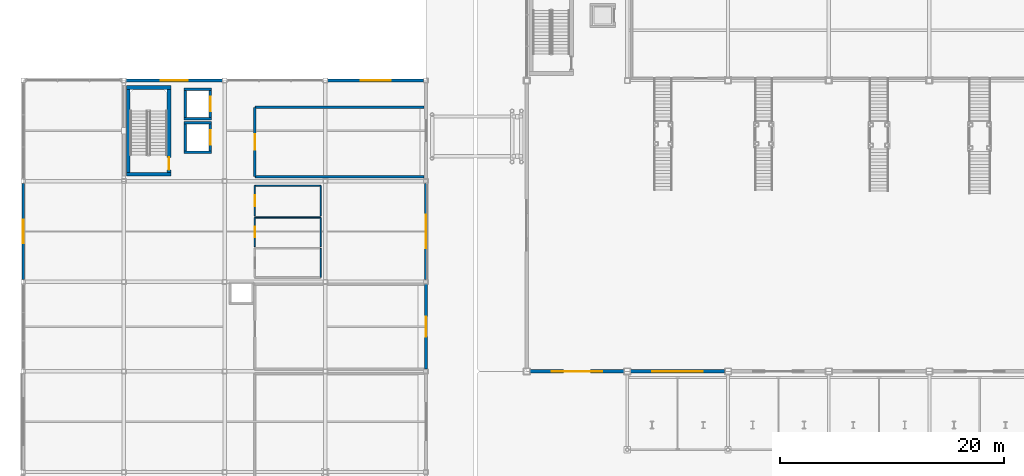
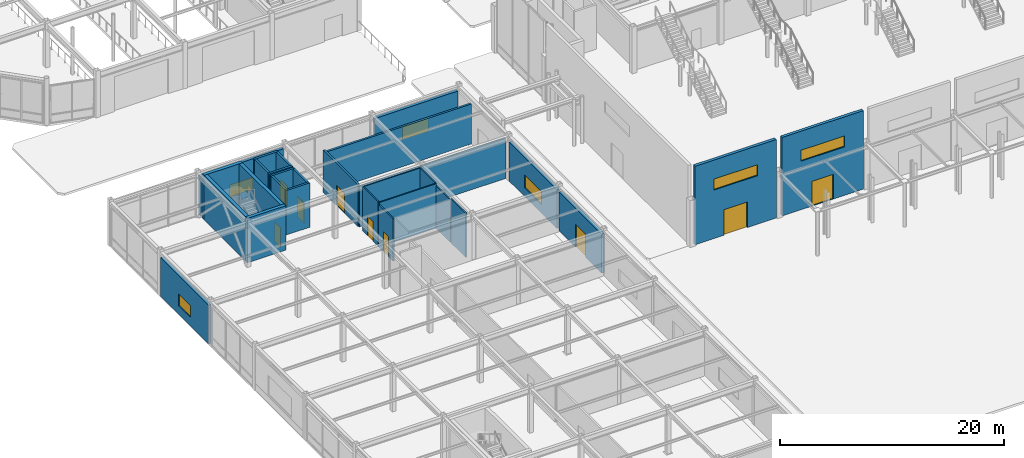
# One storey, part 83 of 123: 29 walls, 9 doors, 6 windows, 15 openings.
"""IFC4 building model written with IfcOpenShell, lengths in metres."""

import ifcopenshell
import ifcopenshell.guid

model = None  # the IFC model being written
_history = None  # IfcOwnerHistory: only IFC2X3 demands one
_inside = {}  # id of a spatial element -> (the spatial element, [elements in it])
_under = {}  # id of a project, library or spatial element -> (it, [spatial elements below it])
_declared = {}  # id of a project -> (the project, [libraries it declares])
_typed = {}  # id of a type object -> (the type object, [elements of that type])
_made_of = {}  # id of a material, layer set ... -> (it, [elements and type objects made of it])


def new_model(schema):
    """Start an empty IFC model of exactly this schema.

    Asked for "IFC4X3", IfcOpenShell would pick the latest addendum, in which some entities
    have other attributes; the version numbers below select the first issue.
    IFC2X3 requires an IfcOwnerHistory on every rooted entity: one is made here for all.
    """
    global model, _history
    if schema == "IFC4X3":
        model = ifcopenshell.file(schema_version=(4, 3, 0, 0))
    else:
        model = ifcopenshell.file(schema=schema)
    _inside.clear()
    _under.clear()
    _declared.clear()
    _typed.clear()
    _made_of.clear()
    _history = None
    if model.schema == "IFC2X3":
        org = make("IfcOrganization", Name="unknown")
        user = make(
            "IfcPersonAndOrganization",
            ThePerson=make("IfcPerson", FamilyName="unknown"),
            TheOrganization=org,
        )
        app = make(
            "IfcApplication",
            ApplicationDeveloper=org,
            Version="unknown",
            ApplicationFullName="unknown",
            ApplicationIdentifier="unknown",
        )
        _history = make(
            "IfcOwnerHistory",
            OwningUser=user,
            OwningApplication=app,
            ChangeAction="ADDED",
            CreationDate=0,
        )
    return model


def make(cls, **values):
    """One entity of the class cls with the attributes given. An attribute that is None is left unset."""
    return model.create_entity(
        cls, **{name: value for name, value in values.items() if value is not None}
    )


def rooted(cls, **values):
    """An entity with a GlobalId (a new one), such as an element, a storey or a relation."""
    return make(cls, GlobalId=ifcopenshell.guid.new(), OwnerHistory=_history, **values)


def si_unit(unit_type, name, prefix=None):
    """IfcSIUnit, for example si_unit("LENGTHUNIT", "METRE", prefix="MILLI")."""
    return make("IfcSIUnit", UnitType=unit_type, Prefix=prefix, Name=name)


def assignment(units):
    """IfcUnitAssignment: the units of a project."""
    return None if units is None else make("IfcUnitAssignment", Units=units)


def point(xyz):
    """IfcCartesianPoint."""
    return None if xyz is None else make("IfcCartesianPoint", Coordinates=xyz)


def direction(xyz):
    """IfcDirection."""
    return None if xyz is None else make("IfcDirection", DirectionRatios=xyz)


def frame(location, z_axis=None, x_axis=None):
    """IfcAxis2Placement3D, a coordinate frame: its origin and axes. An axis left out is left unset."""
    return make(
        "IfcAxis2Placement3D",
        Location=point(location),
        Axis=direction(z_axis),
        RefDirection=direction(x_axis),
    )


def frame_2d(location, x_axis=None):
    """IfcAxis2Placement2D, a coordinate frame in the plane: its origin and x axis."""
    return make(
        "IfcAxis2Placement2D", Location=point(location), RefDirection=direction(x_axis)
    )


def origin():
    """The frame at (0, 0, 0) with its axes left unset."""
    return frame((0.0, 0.0, 0.0))


def place(relative_to, where):
    """IfcLocalPlacement: puts the frame where relative to a parent placement (None: the world)."""
    return make(
        "IfcLocalPlacement", PlacementRelTo=relative_to, RelativePlacement=where
    )


def context(
    kind, dimensions, precision=None, world=None, true_north=None, identifier=None
):
    """IfcGeometricRepresentationContext, for example the 3D "Model" context."""
    return make(
        "IfcGeometricRepresentationContext",
        ContextIdentifier=identifier,
        ContextType=kind,
        CoordinateSpaceDimension=dimensions,
        Precision=precision,
        WorldCoordinateSystem=world,
        TrueNorth=true_north,
    )


def subcontext(parent, identifier, kind, view, scale=None):
    """IfcGeometricRepresentationSubContext, for example "Body" below "Model"."""
    return make(
        "IfcGeometricRepresentationSubContext",
        ContextIdentifier=identifier,
        ContextType=kind,
        ParentContext=parent,
        TargetScale=scale,
        TargetView=view,
    )


def project(units=None, contexts=None):
    """IfcProject with its units and contexts."""
    return rooted(
        "IfcProject",
        Name="project",
        RepresentationContexts=contexts,
        UnitsInContext=assignment(units),
    )


def spatial(cls, under=None, at=None, **own):
    """A site, building, storey or space (cls), placed at a placement, below another one or the project."""
    s = rooted(cls, ObjectPlacement=at, **own)
    if under is not None:
        _under.setdefault(under.id(), (under, []))[1].append(s)
    return s


def profile(cls, at=None, kind="AREA", **sizes):
    """A parametric profile (cls). Its sizes go by their IFC names, for example OverallWidth=200.0."""
    return make(cls, ProfileType=kind, Position=at, **sizes)


def rectangle(**sizes):
    """IfcRectangleProfileDef."""
    return profile("IfcRectangleProfileDef", **sizes)


def extrude(swept, where, along, depth):
    """IfcExtrudedAreaSolid: the profile swept, set in the frame where, extruded along a direction by depth."""
    return make(
        "IfcExtrudedAreaSolid",
        SweptArea=swept,
        Position=where,
        ExtrudedDirection=direction(along),
        Depth=depth,
    )


def shape(context_of_items, identifier, shape_type, items):
    """IfcShapeRepresentation: the items that make up one representation, for example the "Body"."""
    return make(
        "IfcShapeRepresentation",
        ContextOfItems=context_of_items,
        RepresentationIdentifier=identifier,
        RepresentationType=shape_type,
        Items=items,
    )


def material(Name=None, Category=None):
    """IfcMaterial."""
    return make("IfcMaterial", Name=Name, Category=Category)


def layer(
    of_material, thickness, ventilated=None, Name=None, Category=None, Priority=None
):
    """IfcMaterialLayer: one layer of a wall or slab, of a material (None: an air gap)."""
    return make(
        "IfcMaterialLayer",
        Material=of_material,
        LayerThickness=thickness,
        IsVentilated=ventilated,
        Name=Name,
        Category=Category,
        Priority=Priority,
    )


def layer_set(layers, Name=None):
    """IfcMaterialLayerSet."""
    return make("IfcMaterialLayerSet", MaterialLayers=layers, LayerSetName=Name)


def made_of(thing, what):
    """Note that an element or type object is made of a material, layer set ...; save() writes the relation."""
    if what is not None:
        _made_of.setdefault(what.id(), (what, []))[1].append(thing)
    return thing


def type_object(cls, material=None, **own):
    """A type object (cls), such as IfcWallType, which elements share."""
    return made_of(rooted(cls, **own), material)


def element(
    cls,
    number,
    at=None,
    inside=None,
    cuts=None,
    type_object=None,
    material=None,
    context=None,
    identifier="Body",
    shape_type=None,
    held_by="IfcProductDefinitionShape",
    body=None,
    shapes=None,
    **own,
):
    """One element of the class cls, such as IfcWall. Its Tag is "e" and its number.

    at: its placement. inside: the storey or other place that contains it. cuts: it is an
    opening in that element (IfcRelVoidsElement). A single representation is given by context,
    identifier, shape_type and body (its items); several are given by shapes. held_by: the class
    of the entity that holds the representations. save() writes the other relations.
    """
    e = rooted(cls, Tag="e%d" % number, ObjectPlacement=at, **own)
    if body is not None:
        shapes = [shape(context, identifier, shape_type, body)]
    if shapes is not None:
        e.Representation = make(held_by, Representations=shapes)
    if inside is not None:
        _inside.setdefault(inside.id(), (inside, []))[1].append(e)
    if cuts is not None:
        rooted(
            "IfcRelVoidsElement", RelatingBuildingElement=cuts, RelatedOpeningElement=e
        )
    if type_object is not None:
        _typed.setdefault(type_object.id(), (type_object, []))[1].append(e)
    return made_of(e, material)


def fill(opening, filler):
    """IfcRelFillsElement: the door or window that sits in an opening."""
    return rooted(
        "IfcRelFillsElement",
        RelatingOpeningElement=opening,
        RelatedBuildingElement=filler,
    )


def aggregate(whole, parts):
    """IfcRelAggregates: a whole, such as a stair, and the parts it consists of."""
    return rooted("IfcRelAggregates", RelatingObject=whole, RelatedObjects=parts)


def save(model, path):
    """Write the relations noted so far, then the file.

    IfcRelAggregates (storeys below a building ...), IfcRelContainedInSpatialStructure (elements
    in a storey), IfcRelDefinesByType, IfcRelAssociatesMaterial and IfcRelDeclares: one each for
    every whole, place, type object, material and project.
    """
    for whole, parts in _under.values():
        aggregate(whole, parts)
    for where, things in _inside.values():
        rooted(
            "IfcRelContainedInSpatialStructure",
            RelatedElements=things,
            RelatingStructure=where,
        )
    for kind, things in _typed.values():
        rooted("IfcRelDefinesByType", RelatedObjects=things, RelatingType=kind)
    for what, things in _made_of.values():
        rooted("IfcRelAssociatesMaterial", RelatedObjects=things, RelatingMaterial=what)
    for by, libraries in _declared.values():
        rooted("IfcRelDeclares", RelatingContext=by, RelatedDefinitions=libraries)
    model.write(path)


model = new_model("IFC4")

# Units and contexts
model_context = context("Model", 3, precision=1e-05, world=origin(), true_north=direction((0.0, 1.0)))
body_context = subcontext(model_context, "Body", "Model", "MODEL_VIEW")
ifc_project = project(units=[si_unit("LENGTHUNIT", "METRE"), si_unit("AREAUNIT", "SQUARE_METRE"), si_unit("VOLUMEUNIT", "CUBIC_METRE"), si_unit("PLANEANGLEUNIT", "RADIAN"), si_unit("MASSUNIT", "GRAM", prefix="KILO")], contexts=[model_context])

# Site, building, storey
site_placement = place(None, origin())
site = spatial("IfcSite", under=ifc_project, at=site_placement, CompositionType="ELEMENT")
building_placement = place(site_placement, origin())
building = spatial("IfcBuilding", under=site, at=building_placement, Name="Suzunagisa Mobility Hub", CompositionType="ELEMENT")
storey_placement = place(building_placement, origin())
storey = spatial("IfcBuildingStorey", under=building, at=storey_placement, Name="L00", CompositionType="ELEMENT", Elevation=0.0)

# Wall, opening, window
ifc_material_1 = material(Name="Porcelain-Faced Insulated Concrete C30/37 Wall", Category="concrete")
ifc_layer_1 = layer(ifc_material_1, 0.260009765625)
ifc_layer_set_1 = layer_set([ifc_layer_1], Name="Porcelain-Faced Insulated Concrete C30/37 Wall")
wall_type_1 = type_object("IfcWallType", Name="Exterior Wall EW-03 260mm", PredefinedType="SOLIDWALL", material=ifc_layer_set_1)
wall_1_placement = place(storey_placement, frame((36.0, 44.199951171875, 0.0), z_axis=(0.0, 0.0, 1.0), x_axis=(0.0, 1.0, 0.0)))
wall_1 = element("IfcWall", 1, at=wall_1_placement, inside=storey, type_object=wall_type_1, Name="L00 Exterior Facade Wall EW-30", PredefinedType="SOLIDWALL", context=body_context, shape_type="SweptSolid", body=[
    extrude(rectangle(XDim=8.60009765625, YDim=0.260009765625, at=frame_2d((4.300048828125, 0.0))), origin(), (0.0, 0.0, 1.0), 4.261962890625),
])
opening_1_placement = place(wall_1_placement, frame((2.800048828125, 0.0, 0.949951171875)))
opening_1 = element("IfcOpeningElement", 2, at=opening_1_placement, cuts=wall_1, Name="Opening WN-09", PredefinedType="OPENING", context=body_context, shape_type="SweptSolid", body=[
    extrude(rectangle(XDim=3.0, YDim=1.39990234375, at=frame_2d((1.5, 0.699951171875))), frame((0.0, 0.14111328125, 0.0), z_axis=(0.0, -1.0, 0.0), x_axis=(1.0, 0.0, 0.0)), (0.0, 0.0, 1.0), 0.281982421875),
])
ifc_material_2 = material(Name="Thermally Broken Anodized Aluminum and Low-E Double Glazing", Category="aluminium")
window_type_1 = type_object("IfcWindowType", Name="Aluminum Window WN-09 3000x1400", PartitioningType="SINGLE_PANEL", PredefinedType="WINDOW", material=ifc_material_2)
window_1_placement = place(opening_1_placement, origin())
window_1 = element("IfcWindow", 3, at=window_1_placement, inside=storey, type_object=window_type_1, Name="L00 Scheduled Facade Window WN-5", OverallHeight=1.39990234375, OverallWidth=3.0, PartitioningType="SINGLE_PANEL", PredefinedType="WINDOW", context=body_context, shape_type="SweptSolid", body=[
    extrude(rectangle(XDim=3.0, YDim=1.39990234375, at=frame_2d((1.5, 0.699951171875))), frame((0.0, 0.030029296875, 0.0), z_axis=(0.0, -1.0, 0.0), x_axis=(1.0, 0.0, 0.0)), (0.0, 0.0, 1.0), 0.06005859375),
])
fill(opening_1, window_1)

wall_2_placement = place(storey_placement, frame((0.0, 52.800048828125, 0.0), z_axis=(0.0, 0.0, 1.0), x_axis=(0.0, -1.0, 0.0)))
wall_2 = element("IfcWall", 4, at=wall_2_placement, inside=storey, type_object=wall_type_1, Name="L00 Exterior Facade Wall EW-34", PredefinedType="SOLIDWALL", context=body_context, shape_type="SweptSolid", body=[
    extrude(rectangle(XDim=8.60009765625, YDim=0.260009765625, at=frame_2d((4.300048828125, 0.0))), origin(), (0.0, 0.0, 1.0), 4.261962890625),
])
opening_2_placement = place(wall_2_placement, frame((3.25, 0.0, 0.949951171875)))
opening_2 = element("IfcOpeningElement", 5, at=opening_2_placement, cuts=wall_2, Name="Opening WN-07", PredefinedType="OPENING", context=body_context, shape_type="SweptSolid", body=[
    extrude(rectangle(XDim=2.10009765625, YDim=1.300048828125, at=frame_2d((1.050048828125, 0.64990234375))), frame((0.0, 0.14111328125, 0.0), z_axis=(0.0, -1.0, 0.0), x_axis=(1.0, 0.0, 0.0)), (0.0, 0.0, 1.0), 0.281982421875),
])
window_type_2 = type_object("IfcWindowType", Name="Aluminum Window WN-07 2100x1300", PartitioningType="SINGLE_PANEL", PredefinedType="WINDOW", material=ifc_material_2)
window_2_placement = place(opening_2_placement, origin())
window_2 = element("IfcWindow", 6, at=window_2_placement, inside=storey, type_object=window_type_2, Name="L00 Scheduled Facade Window WN-8", OverallHeight=1.300048828125, OverallWidth=2.10009765625, PartitioningType="SINGLE_PANEL", PredefinedType="WINDOW", context=body_context, shape_type="SweptSolid", body=[
    extrude(rectangle(XDim=2.10009765625, YDim=1.300048828125, at=frame_2d((1.050048828125, 0.64990234375))), frame((0.0, 0.030029296875, 0.0), z_axis=(0.0, -1.0, 0.0), x_axis=(1.0, 0.0, 0.0)), (0.0, 0.0, 1.0), 0.06005859375),
])
fill(opening_2, window_2)

ifc_layer_2 = layer(ifc_material_1, 0.280029296875)
ifc_layer_set_2 = layer_set([ifc_layer_2], Name="Porcelain-Faced Insulated Concrete C30/37 Wall")
wall_type_2 = type_object("IfcWallType", Name="Exterior Wall EW-08 280mm", PredefinedType="SOLIDWALL", material=ifc_layer_set_2)
wall_3_placement = place(storey_placement, frame((17.800048828125, 62.0, 0.0), z_axis=(0.0, 0.0, 1.0), x_axis=(-1.0, 0.0, 0.0)))
wall_3 = element("IfcWall", 7, at=wall_3_placement, inside=storey, type_object=wall_type_2, Name="L00 Exterior Facade Wall EW-33", PredefinedType="SOLIDWALL", context=body_context, shape_type="SweptSolid", body=[
    extrude(rectangle(XDim=8.60009765625, YDim=0.280029296875, at=frame_2d((4.300048828125, 0.0))), origin(), (0.0, 0.0, 1.0), 4.362060546875),
])
opening_3_placement = place(wall_3_placement, frame((3.10009765625, 0.0, 0.949951171875)))
opening_3 = element("IfcOpeningElement", 8, at=opening_3_placement, cuts=wall_3, Name="Opening WN-30", PredefinedType="OPENING", context=body_context, shape_type="SweptSolid", body=[
    extrude(rectangle(XDim=2.39990234375, YDim=1.300048828125, at=frame_2d((1.199951171875, 0.64990234375))), frame((0.0, 0.15087890625, 0.0), z_axis=(0.0, -1.0, 0.0), x_axis=(1.0, 0.0, 0.0)), (0.0, 0.0, 1.0), 0.302001953125),
])
window_type_3 = type_object("IfcWindowType", Name="Aluminum Window WN-30 2400x1300", PartitioningType="SINGLE_PANEL", PredefinedType="WINDOW", material=ifc_material_2)
window_3_placement = place(opening_3_placement, origin())
window_3 = element("IfcWindow", 9, at=window_3_placement, inside=storey, type_object=window_type_3, Name="L00 Scheduled Facade Window WN-7", OverallHeight=1.300048828125, OverallWidth=2.39990234375, PartitioningType="SINGLE_PANEL", PredefinedType="WINDOW", context=body_context, shape_type="SweptSolid", body=[
    extrude(rectangle(XDim=2.39990234375, YDim=1.300048828125, at=frame_2d((1.199951171875, 0.64990234375))), frame((0.0, 0.030029296875, 0.0), z_axis=(0.0, -1.0, 0.0), x_axis=(1.0, 0.0, 0.0)), (0.0, 0.0, 1.0), 0.06005859375),
])
fill(opening_3, window_3)

# Wall, opening, door
ifc_material_3 = material(Name="Insulated Precast Concrete C35/45 Panel", Category="concrete")
ifc_layer_3 = layer(ifc_material_3, 0.300048828125)
ifc_layer_set_3 = layer_set([ifc_layer_3], Name="Insulated Precast Concrete C35/45 Panel")
wall_type_3 = type_object("IfcWallType", Name="Exterior Wall EW-09 300mm", PredefinedType="SOLIDWALL", material=ifc_layer_set_3)
wall_4_placement = place(storey_placement, frame((36.0, 36.199951171875, 0.0), z_axis=(0.0, 0.0, 1.0), x_axis=(0.0, 1.0, 0.0)))
wall_4 = element("IfcWall", 10, at=wall_4_placement, inside=storey, type_object=wall_type_3, Name="L00 Entrance Portal Wall 29", PredefinedType="SOLIDWALL", context=body_context, shape_type="SweptSolid", body=[
    extrude(rectangle(XDim=7.60009765625, YDim=0.300048828125, at=frame_2d((3.800048828125, 0.0))), origin(), (0.0, 0.0, 1.0), 4.261962890625),
])
opening_4_placement = place(wall_4_placement, frame((4.699951171875, 0.0, 0.0), z_axis=(0.0, 0.0, 1.0), x_axis=(-1.0, 0.0, 0.0)))
opening_4 = element("IfcOpeningElement", 11, at=opening_4_placement, cuts=wall_4, Name="Opening ED-11", PredefinedType="OPENING", context=body_context, shape_type="SweptSolid", body=[
    extrude(rectangle(XDim=1.800048828125, YDim=2.5, at=frame_2d((0.89990234375, 1.25))), frame((0.0, 0.1611328125, 0.0), z_axis=(0.0, -1.0, 0.0), x_axis=(1.0, 0.0, 0.0)), (0.0, 0.0, 1.0), 0.322021484375),
])
ifc_material_4 = material(Name="Anodized Aluminum and Tempered Safety Glass", Category="aluminium")
door_type_1 = type_object("IfcDoorType", Name="Exterior Glazed Aluminum Door ED-11 1800x2500", OperationType="DOUBLE_DOOR_SINGLE_SWING", PredefinedType="DOOR", material=ifc_material_4)
door_1_placement = place(opening_4_placement, origin())
door_1 = element("IfcDoor", 12, at=door_1_placement, inside=storey, type_object=door_type_1, Name="L00 Pedestrian Final Exit Door EX-3", OperationType="SINGLE_SWING_LEFT", OverallHeight=2.5, OverallWidth=1.800048828125, PredefinedType="DOOR", context=body_context, shape_type="SweptSolid", body=[
    extrude(rectangle(XDim=1.800048828125, YDim=2.5, at=frame_2d((0.89990234375, 1.25))), frame((0.0, 0.02490234375, 0.0), z_axis=(0.0, -1.0, 0.0), x_axis=(1.0, 0.0, 0.0)), (0.0, 0.0, 1.0), 0.050048828125),
])
fill(opening_4, door_1)

# Wall, opening, window
wall_5_placement = place(storey_placement, frame((35.800048828125, 62.0, 0.0), z_axis=(0.0, 0.0, 1.0), x_axis=(-1.0, 0.0, 0.0)))
wall_5 = element("IfcWall", 13, at=wall_5_placement, inside=storey, type_object=wall_type_3, Name="L00 Exterior Facade Wall EW-32", PredefinedType="SOLIDWALL", context=body_context, shape_type="SweptSolid", body=[
    extrude(rectangle(XDim=8.60009765625, YDim=0.300048828125, at=frame_2d((4.300048828125, 0.0))), origin(), (0.0, 0.0, 1.0), 4.362060546875),
])
opening_5_placement = place(wall_5_placement, frame((2.949951171875, 0.0, 0.949951171875)))
opening_5 = element("IfcOpeningElement", 14, at=opening_5_placement, cuts=wall_5, Name="Opening WN-20", PredefinedType="OPENING", context=body_context, shape_type="SweptSolid", body=[
    extrude(rectangle(XDim=2.699951171875, YDim=1.39990234375, at=frame_2d((1.35009765625, 0.699951171875))), frame((0.0, 0.1611328125, 0.0), z_axis=(0.0, -1.0, 0.0), x_axis=(1.0, 0.0, 0.0)), (0.0, 0.0, 1.0), 0.322021484375),
])
window_type_4 = type_object("IfcWindowType", Name="Aluminum Window WN-20 2700x1400", PartitioningType="SINGLE_PANEL", PredefinedType="WINDOW", material=ifc_material_2)
window_4_placement = place(opening_5_placement, origin())
window_4 = element("IfcWindow", 15, at=window_4_placement, inside=storey, type_object=window_type_4, Name="L00 Scheduled Facade Window WN-6", OverallHeight=1.39990234375, OverallWidth=2.699951171875, PartitioningType="SINGLE_PANEL", PredefinedType="WINDOW", context=body_context, shape_type="SweptSolid", body=[
    extrude(rectangle(XDim=2.699951171875, YDim=1.39990234375, at=frame_2d((1.35009765625, 0.699951171875))), frame((0.0, 0.030029296875, 0.0), z_axis=(0.0, -1.0, 0.0), x_axis=(1.0, 0.0, 0.0)), (0.0, 0.0, 1.0), 0.06005859375),
])
fill(opening_5, window_4)

# Wall, openings, window, door
wall_6_placement = place(storey_placement, frame((45.300048828125, 36.0, 0.0), z_axis=(0.0, 0.0, 1.0), x_axis=(1.0, 0.0, 0.0)))
wall_6 = element("IfcWall", 16, at=wall_6_placement, inside=storey, type_object=wall_type_3, Name="L00 Entrance Portal Wall 72", PredefinedType="SOLIDWALL", context=body_context, shape_type="SweptSolid", body=[
    extrude(rectangle(XDim=8.39990234375, YDim=0.300048828125, at=frame_2d((4.199951171875, 0.0))), origin(), (0.0, 0.0, 1.0), 8.580078125),
])
opening_6_placement = place(wall_6_placement, frame((5.39990234375, 0.0, 0.0), z_axis=(0.0, 0.0, 1.0), x_axis=(-1.0, 0.0, 0.0)))
opening_6 = element("IfcOpeningElement", 17, at=opening_6_placement, cuts=wall_6, Name="Opening ED-13", PredefinedType="OPENING", context=body_context, shape_type="SweptSolid", body=[
    extrude(rectangle(XDim=2.39990234375, YDim=2.800048828125, at=frame_2d((1.199951171875, 1.39990234375))), frame((0.0, 0.1611328125, 0.0), z_axis=(0.0, -1.0, 0.0), x_axis=(1.0, 0.0, 0.0)), (0.0, 0.0, 1.0), 0.322021484375),
])
opening_7_placement = place(wall_6_placement, frame((1.949951171875, 0.0, 5.300048828125)))
opening_7 = element("IfcOpeningElement", 18, at=opening_7_placement, cuts=wall_6, Name="Opening WN-28", PredefinedType="OPENING", context=body_context, shape_type="SweptSolid", body=[
    extrude(rectangle(XDim=4.5, YDim=1.199951171875, at=frame_2d((2.25, 0.60009765625))), frame((0.0, 0.1611328125, 0.0), z_axis=(0.0, -1.0, 0.0), x_axis=(1.0, 0.0, 0.0)), (0.0, 0.0, 1.0), 0.322021484375),
])
window_type_5 = type_object("IfcWindowType", Name="Aluminum Window WN-28 4500x1200", PartitioningType="SINGLE_PANEL", PredefinedType="WINDOW", material=ifc_material_2)
window_5_placement = place(opening_7_placement, origin())
window_5 = element("IfcWindow", 19, at=window_5_placement, inside=storey, type_object=window_type_5, Name="L00 Concourse Clerestory Window WN-15", OverallHeight=1.199951171875, OverallWidth=4.5, PartitioningType="SINGLE_PANEL", PredefinedType="WINDOW", context=body_context, shape_type="SweptSolid", body=[
    extrude(rectangle(XDim=4.5, YDim=1.199951171875, at=frame_2d((2.25, 0.60009765625))), frame((0.0, 0.030029296875, 0.0), z_axis=(0.0, -1.0, 0.0), x_axis=(1.0, 0.0, 0.0)), (0.0, 0.0, 1.0), 0.06005859375),
])
fill(opening_7, window_5)
door_type_2 = type_object("IfcDoorType", Name="Exterior Glazed Aluminum Door ED-13 2400x2800", OperationType="DOUBLE_DOOR_SINGLE_SWING", PredefinedType="DOOR", material=ifc_material_4)
door_2_placement = place(opening_6_placement, origin())
door_2 = element("IfcDoor", 20, at=door_2_placement, inside=storey, type_object=door_type_2, Name="L00 Main Concourse Pedestrian Final Exit Door EX-5", OperationType="SINGLE_SWING_LEFT", OverallHeight=2.800048828125, OverallWidth=2.39990234375, PredefinedType="DOOR", context=body_context, shape_type="SweptSolid", body=[
    extrude(rectangle(XDim=2.39990234375, YDim=2.800048828125, at=frame_2d((1.199951171875, 1.39990234375))), frame((0.0, 0.02490234375, 0.0), z_axis=(0.0, -1.0, 0.0), x_axis=(1.0, 0.0, 0.0)), (0.0, 0.0, 1.0), 0.050048828125),
])
fill(opening_6, door_2)

wall_7_placement = place(storey_placement, frame((54.300048828125, 36.0, 0.0), z_axis=(0.0, 0.0, 1.0), x_axis=(1.0, 0.0, 0.0)))
wall_7 = element("IfcWall", 21, at=wall_7_placement, inside=storey, type_object=wall_type_3, Name="L00 Entrance Portal Wall 73", PredefinedType="SOLIDWALL", context=body_context, shape_type="SweptSolid", body=[
    extrude(rectangle(XDim=8.39990234375, YDim=0.300048828125, at=frame_2d((4.199951171875, 0.0))), origin(), (0.0, 0.0, 1.0), 8.580078125),
])
opening_8_placement = place(wall_7_placement, frame((5.300048828125, 0.0, 0.0), z_axis=(0.0, 0.0, 1.0), x_axis=(-1.0, 0.0, 0.0)))
opening_8 = element("IfcOpeningElement", 22, at=opening_8_placement, cuts=wall_7, Name="Opening ED-02", PredefinedType="OPENING", context=body_context, shape_type="SweptSolid", body=[
    extrude(rectangle(XDim=2.199951171875, YDim=2.699951171875, at=frame_2d((1.10009765625, 1.35009765625))), frame((0.0, 0.1611328125, 0.0), z_axis=(0.0, -1.0, 0.0), x_axis=(1.0, 0.0, 0.0)), (0.0, 0.0, 1.0), 0.322021484375),
])
opening_9_placement = place(wall_7_placement, frame((1.949951171875, 0.0, 5.300048828125)))
opening_9 = element("IfcOpeningElement", 23, at=opening_9_placement, cuts=wall_7, Name="Opening WN-28", PredefinedType="OPENING", context=body_context, shape_type="SweptSolid", body=[
    extrude(rectangle(XDim=4.5, YDim=1.199951171875, at=frame_2d((2.25, 0.60009765625))), frame((0.0, 0.1611328125, 0.0), z_axis=(0.0, -1.0, 0.0), x_axis=(1.0, 0.0, 0.0)), (0.0, 0.0, 1.0), 0.322021484375),
])
window_6_placement = place(opening_9_placement, origin())
window_6 = element("IfcWindow", 24, at=window_6_placement, inside=storey, type_object=window_type_5, Name="L00 Concourse Clerestory Window WN-16", OverallHeight=1.199951171875, OverallWidth=4.5, PartitioningType="SINGLE_PANEL", PredefinedType="WINDOW", context=body_context, shape_type="SweptSolid", body=[
    extrude(rectangle(XDim=4.5, YDim=1.199951171875, at=frame_2d((2.25, 0.60009765625))), frame((0.0, 0.030029296875, 0.0), z_axis=(0.0, -1.0, 0.0), x_axis=(1.0, 0.0, 0.0)), (0.0, 0.0, 1.0), 0.06005859375),
])
fill(opening_9, window_6)
door_type_3 = type_object("IfcDoorType", Name="Exterior Glazed Aluminum Door ED-02 2200x2700", OperationType="DOUBLE_DOOR_SINGLE_SWING", PredefinedType="DOOR", material=ifc_material_4)
door_3_placement = place(opening_8_placement, origin())
door_3 = element("IfcDoor", 25, at=door_3_placement, inside=storey, type_object=door_type_3, Name="L00 Main Concourse Pedestrian Final Exit Door EX-6", OperationType="SINGLE_SWING_LEFT", OverallHeight=2.699951171875, OverallWidth=2.199951171875, PredefinedType="DOOR", context=body_context, shape_type="SweptSolid", body=[
    extrude(rectangle(XDim=2.199951171875, YDim=2.699951171875, at=frame_2d((1.10009765625, 1.35009765625))), frame((0.0, 0.02490234375, 0.0), z_axis=(0.0, -1.0, 0.0), x_axis=(1.0, 0.0, 0.0)), (0.0, 0.0, 1.0), 0.050048828125),
])
fill(opening_8, door_3)

# Walls
ifc_material_5 = material(Name="Moisture-Resistant Gypsum Partition", Category="gypsum")
ifc_layer_4 = layer(ifc_material_5, 0.1201171875)
ifc_layer_set_4 = layer_set([ifc_layer_4], Name="Moisture-Resistant Gypsum Partition")
wall_type_4 = type_object("IfcWallType", Name="Interior Wall IW-02 120mm", PredefinedType="PARTITIONING", material=ifc_layer_set_4)
wall_8_placement = place(storey_placement, frame((26.60009765625, 44.39990234375, 0.0), z_axis=(0.0, 0.0, 1.0), x_axis=(0.0, 1.0, 0.0)))
element("IfcWall", 26, at=wall_8_placement, inside=storey, type_object=wall_type_4, Name="L00 West Concourse Male WC L00 Partition PW-648", PredefinedType="PARTITIONING", context=body_context, shape_type="SweptSolid", body=[
    extrude(rectangle(XDim=2.60009765625, YDim=0.1201171875, at=frame_2d((1.300048828125, 0.0))), origin(), (0.0, 0.0, 1.0), 4.85009765625),
])
wall_9_placement = place(storey_placement, frame((20.699951171875, 49.75, 0.0), z_axis=(0.0, 0.0, 1.0), x_axis=(1.0, 0.0, 0.0)))
element("IfcWall", 27, at=wall_9_placement, inside=storey, type_object=wall_type_4, Name="L00 West Concourse Female WC L00 Partition PW-649", PredefinedType="PARTITIONING", context=body_context, shape_type="SweptSolid", body=[
    extrude(rectangle(XDim=5.900146484375, YDim=0.1201171875, at=frame_2d((2.9501953125, 0.0))), origin(), (0.0, 0.0, 1.0), 4.85009765625),
])

# Wall, opening, door
wall_10_placement = place(storey_placement, frame((20.699951171875, 47.14990234375, 0.0), z_axis=(0.0, 0.0, 1.0), x_axis=(0.0, 1.0, 0.0)))
wall_10 = element("IfcWall", 28, at=wall_10_placement, inside=storey, type_object=wall_type_4, Name="L00 West Concourse Female WC L00 Partition PW-650", PredefinedType="PARTITIONING", context=body_context, shape_type="SweptSolid", body=[
    extrude(rectangle(XDim=2.60009765625, YDim=0.1201171875, at=frame_2d((1.300048828125, 0.0))), origin(), (0.0, 0.0, 1.0), 4.60009765625),
])
opening_10_placement = place(wall_10_placement, frame((0.824951171875, 0.0, 0.0)))
opening_10 = element("IfcOpeningElement", 29, at=opening_10_placement, cuts=wall_10, Name="Opening DR-19", PredefinedType="OPENING", context=body_context, shape_type="SweptSolid", body=[
    extrude(rectangle(XDim=0.949951171875, YDim=2.14990234375, at=frame_2d((0.47509765625, 1.074951171875))), frame((0.0, 0.071044921875, 0.0), z_axis=(0.0, -1.0, 0.0), x_axis=(1.0, 0.0, 0.0)), (0.0, 0.0, 1.0), 0.14208984375),
])
ifc_material_6 = material(Name="Sanitary Restroom Acoustic Door")
door_type_4 = type_object("IfcDoorType", Name="Interior Door DR-19 950x2150", OperationType="SINGLE_SWING_LEFT", PredefinedType="DOOR", material=ifc_material_6)
door_4_placement = place(opening_10_placement, origin())
door_4 = element("IfcDoor", 30, at=door_4_placement, inside=storey, type_object=door_type_4, Name="L00 West Concourse Female WC L00 Door DR-162", OperationType="SINGLE_SWING_LEFT", OverallHeight=2.14990234375, OverallWidth=0.949951171875, PredefinedType="DOOR", context=body_context, shape_type="SweptSolid", body=[
    extrude(rectangle(XDim=0.949951171875, YDim=2.14990234375, at=frame_2d((0.47509765625, 1.074951171875))), frame((0.0, 0.02490234375, 0.0), z_axis=(0.0, -1.0, 0.0), x_axis=(1.0, 0.0, 0.0)), (0.0, 0.0, 1.0), 0.050048828125),
])
fill(opening_10, door_4)

# Walls
wall_11_placement = place(storey_placement, frame((26.60009765625, 47.14990234375, 0.0), z_axis=(0.0, 0.0, 1.0), x_axis=(0.0, 1.0, 0.0)))
element("IfcWall", 31, at=wall_11_placement, inside=storey, type_object=wall_type_4, Name="L00 West Concourse Female WC L00 Partition PW-651", PredefinedType="PARTITIONING", context=body_context, shape_type="SweptSolid", body=[
    extrude(rectangle(XDim=2.60009765625, YDim=0.1201171875, at=frame_2d((1.300048828125, 0.0))), origin(), (0.0, 0.0, 1.0), 4.60009765625),
])
wall_12_placement = place(storey_placement, frame((20.699951171875, 52.60009765625, 0.0), z_axis=(0.0, 0.0, 1.0), x_axis=(1.0, 0.0, 0.0)))
element("IfcWall", 32, at=wall_12_placement, inside=storey, type_object=wall_type_4, Name="L00 West Accessible WC L00 Partition PW-652", PredefinedType="PARTITIONING", context=body_context, shape_type="SweptSolid", body=[
    extrude(rectangle(XDim=5.900146484375, YDim=0.1201171875, at=frame_2d((2.9501953125, 0.0))), origin(), (0.0, 0.0, 1.0), 4.85009765625),
])

# Wall, opening, door
wall_13_placement = place(storey_placement, frame((20.699951171875, 49.89990234375, 0.0), z_axis=(0.0, 0.0, 1.0), x_axis=(0.0, 1.0, 0.0)))
wall_13 = element("IfcWall", 33, at=wall_13_placement, inside=storey, type_object=wall_type_4, Name="L00 West Accessible WC L00 Partition PW-653", PredefinedType="PARTITIONING", context=body_context, shape_type="SweptSolid", body=[
    extrude(rectangle(XDim=2.7001953125, YDim=0.1201171875, at=frame_2d((1.35009765625, 0.0))), origin(), (0.0, 0.0, 1.0), 4.85009765625),
])
opening_11_placement = place(wall_13_placement, frame((0.85009765625, 0.0, 0.0)))
opening_11 = element("IfcOpeningElement", 34, at=opening_11_placement, cuts=wall_13, Name="Opening DR-01", PredefinedType="OPENING", context=body_context, shape_type="SweptSolid", body=[
    extrude(rectangle(XDim=1.0, YDim=2.14990234375, at=frame_2d((0.5, 1.074951171875))), frame((0.0, 0.071044921875, 0.0), z_axis=(0.0, -1.0, 0.0), x_axis=(1.0, 0.0, 0.0)), (0.0, 0.0, 1.0), 0.14208984375),
])
ifc_material_7 = material(Name="Barrier-Free Accessible WC Door")
door_type_5 = type_object("IfcDoorType", Name="Interior Door DR-01 1000x2150", OperationType="SINGLE_SWING_LEFT", PredefinedType="DOOR", material=ifc_material_7)
door_5_placement = place(opening_11_placement, origin())
door_5 = element("IfcDoor", 35, at=door_5_placement, inside=storey, type_object=door_type_5, Name="L00 West Accessible WC L00 Door DR-163", OperationType="SINGLE_SWING_RIGHT", OverallHeight=2.14990234375, OverallWidth=1.0, PredefinedType="DOOR", context=body_context, shape_type="SweptSolid", body=[
    extrude(rectangle(XDim=1.0, YDim=2.14990234375, at=frame_2d((0.5, 1.074951171875))), frame((0.0, 0.02490234375, 0.0), z_axis=(0.0, -1.0, 0.0), x_axis=(1.0, 0.0, 0.0)), (0.0, 0.0, 1.0), 0.050048828125),
])
fill(opening_11, door_5)

# Wall
wall_14_placement = place(storey_placement, frame((26.60009765625, 49.89990234375, 0.0), z_axis=(0.0, 0.0, 1.0), x_axis=(0.0, 1.0, 0.0)))
element("IfcWall", 36, at=wall_14_placement, inside=storey, type_object=wall_type_4, Name="L00 West Accessible WC L00 Partition PW-654", PredefinedType="PARTITIONING", context=body_context, shape_type="SweptSolid", body=[
    extrude(rectangle(XDim=2.7001953125, YDim=0.1201171875, at=frame_2d((1.35009765625, 0.0))), origin(), (0.0, 0.0, 1.0), 4.85009765625),
])

# Wall, opening, door
ifc_material_8 = material(Name="Fire-Rated Gypsum Stud Partition", Category="gypsum")
ifc_layer_5 = layer(ifc_material_8, 0.2099609375)
ifc_layer_set_5 = layer_set([ifc_layer_5], Name="Fire-Rated Gypsum Stud Partition")
wall_type_5 = type_object("IfcWallType", Name="Interior Wall IW-03 210mm", PredefinedType="PARTITIONING", material=ifc_layer_set_5)
wall_15_placement = place(storey_placement, frame((16.72509765625, 55.679931640625, 0.0), z_axis=(0.0, 0.0, 1.0), x_axis=(0.0, 1.0, 0.0)))
wall_15 = element("IfcWall", 37, at=wall_15_placement, inside=storey, type_object=wall_type_5, Name="L00 Lift LF-01 Shaft Front Wall", PredefinedType="PARTITIONING", context=body_context, shape_type="SweptSolid", body=[
    extrude(rectangle(XDim=2.440185546875, YDim=0.2099609375, at=frame_2d((1.22021484375, 0.0))), origin(), (0.0, 0.0, 1.0), 4.85009765625),
])
opening_12_placement = place(wall_15_placement, frame((0.570068359375, 0.0, 0.0)))
opening_12 = element("IfcOpeningElement", 38, at=opening_12_placement, cuts=wall_15, Name="Opening LD-02", PredefinedType="OPENING", context=body_context, shape_type="SweptSolid", body=[
    extrude(rectangle(XDim=1.300048828125, YDim=2.199951171875, at=frame_2d((0.64990234375, 1.10009765625))), frame((0.0, 0.115966796875, 0.0), z_axis=(0.0, -1.0, 0.0), x_axis=(1.0, 0.0, 0.0)), (0.0, 0.0, 1.0), 0.23193359375),
])
ifc_material_9 = material(Name="Brushed Stainless Steel SUS304", Category="metal")
door_type_6 = type_object("IfcDoorType", Name="Lift Landing Sliding Door LD-02 1300x2200", OperationType="SLIDING_TO_LEFT", PredefinedType="DOOR", material=ifc_material_9)
door_6_placement = place(opening_12_placement, origin())
door_6 = element("IfcDoor", 39, at=door_6_placement, inside=storey, type_object=door_type_6, Name="L00 Lift LF-01 Sliding Landing Door", OperationType="SLIDING_TO_LEFT", OverallHeight=2.199951171875, OverallWidth=1.300048828125, PredefinedType="DOOR", context=body_context, shape_type="SweptSolid", body=[
    extrude(rectangle(XDim=1.300048828125, YDim=2.199951171875, at=frame_2d((0.64990234375, 1.10009765625))), frame((0.0, 0.02490234375, 0.0), z_axis=(0.0, -1.0, 0.0), x_axis=(1.0, 0.0, 0.0)), (0.0, 0.0, 1.0), 0.050048828125),
])
fill(opening_12, door_6)

# Walls
wall_16_placement = place(storey_placement, frame((14.47509765625, 55.679931640625, 0.0), z_axis=(0.0, 0.0, 1.0), x_axis=(0.0, 1.0, 0.0)))
element("IfcWall", 40, at=wall_16_placement, inside=storey, type_object=wall_type_5, Name="L00 Lift LF-01 Shaft Back Wall", PredefinedType="PARTITIONING", context=body_context, shape_type="SweptSolid", body=[
    extrude(rectangle(XDim=2.440185546875, YDim=0.2099609375, at=frame_2d((1.22021484375, 0.0))), origin(), (0.0, 0.0, 1.0), 4.85009765625),
])
for number, where, z_axis, x_axis, name in (
    (41, (14.3701171875, 55.574951171875, 0.0), (0.0, 0.0, 1.0), (1.0, 0.0, 0.0), "L00 Lift LF-01 Shaft South Wall"),
    (42, (14.3701171875, 58.22509765625, 0.0), (0.0, 0.0, 1.0), (1.0, 0.0, 0.0), "L00 Lift LF-01 Shaft North Wall"),
):
    element("IfcWall", number, at=place(storey_placement, frame(where, z_axis=z_axis, x_axis=x_axis)), inside=storey, type_object=wall_type_5, Name=name, PredefinedType="PARTITIONING", context=body_context, shape_type="SweptSolid", body=[
        extrude(rectangle(XDim=2.4599609375, YDim=0.2099609375, at=frame_2d((1.22998046875, 0.0))), origin(), (0.0, 0.0, 1.0), 4.85009765625),
    ])

# Wall, opening, door
wall_17_placement = place(storey_placement, frame((16.72509765625, 58.679931640625, 0.0), z_axis=(0.0, 0.0, 1.0), x_axis=(0.0, 1.0, 0.0)))
wall_17 = element("IfcWall", 43, at=wall_17_placement, inside=storey, type_object=wall_type_5, Name="L00 Lift LF-02 Shaft Front Wall", PredefinedType="PARTITIONING", context=body_context, shape_type="SweptSolid", body=[
    extrude(rectangle(XDim=2.440185546875, YDim=0.2099609375, at=frame_2d((1.22021484375, 0.0))), origin(), (0.0, 0.0, 1.0), 4.85009765625),
])
opening_13_placement = place(wall_17_placement, frame((0.570068359375, 0.0, 0.0)))
opening_13 = element("IfcOpeningElement", 44, at=opening_13_placement, cuts=wall_17, Name="Opening LD-02", PredefinedType="OPENING", context=body_context, shape_type="SweptSolid", body=[
    extrude(rectangle(XDim=1.300048828125, YDim=2.199951171875, at=frame_2d((0.64990234375, 1.10009765625))), frame((0.0, 0.115966796875, 0.0), z_axis=(0.0, -1.0, 0.0), x_axis=(1.0, 0.0, 0.0)), (0.0, 0.0, 1.0), 0.23193359375),
])
door_7_placement = place(opening_13_placement, origin())
door_7 = element("IfcDoor", 45, at=door_7_placement, inside=storey, type_object=door_type_6, Name="L00 Lift LF-02 Sliding Landing Door", OperationType="SLIDING_TO_RIGHT", OverallHeight=2.199951171875, OverallWidth=1.300048828125, PredefinedType="DOOR", context=body_context, shape_type="SweptSolid", body=[
    extrude(rectangle(XDim=1.300048828125, YDim=2.199951171875, at=frame_2d((0.64990234375, 1.10009765625))), frame((0.0, 0.02490234375, 0.0), z_axis=(0.0, -1.0, 0.0), x_axis=(1.0, 0.0, 0.0)), (0.0, 0.0, 1.0), 0.050048828125),
])
fill(opening_13, door_7)

# Walls
wall_18_placement = place(storey_placement, frame((14.47509765625, 58.679931640625, 0.0), z_axis=(0.0, 0.0, 1.0), x_axis=(0.0, 1.0, 0.0)))
element("IfcWall", 46, at=wall_18_placement, inside=storey, type_object=wall_type_5, Name="L00 Lift LF-02 Shaft Back Wall", PredefinedType="PARTITIONING", context=body_context, shape_type="SweptSolid", body=[
    extrude(rectangle(XDim=2.440185546875, YDim=0.2099609375, at=frame_2d((1.22021484375, 0.0))), origin(), (0.0, 0.0, 1.0), 4.85009765625),
])
for number, where, z_axis, x_axis, name in (
    (47, (14.3701171875, 58.574951171875, 0.0), (0.0, 0.0, 1.0), (1.0, 0.0, 0.0), "L00 Lift LF-02 Shaft South Wall"),
    (48, (14.3701171875, 61.22509765625, 0.0), (0.0, 0.0, 1.0), (1.0, 0.0, 0.0), "L00 Lift LF-02 Shaft North Wall"),
):
    element("IfcWall", number, at=place(storey_placement, frame(where, z_axis=z_axis, x_axis=x_axis)), inside=storey, type_object=wall_type_5, Name=name, PredefinedType="PARTITIONING", context=body_context, shape_type="SweptSolid", body=[
        extrude(rectangle(XDim=2.4599609375, YDim=0.2099609375, at=frame_2d((1.22998046875, 0.0))), origin(), (0.0, 0.0, 1.0), 4.85009765625),
    ])
for number, where, z_axis, x_axis, name in (
    (49, (20.699951171875, 53.39990234375, 0.0), (0.0, 0.0, 1.0), (1.0, 0.0, 0.0), "L00 Core C1 Protected Exit Corridor L00 Partition PW-745"),
    (50, (20.699951171875, 59.60009765625, 0.0), (0.0, 0.0, 1.0), (1.0, 0.0, 0.0), "L00 Core C1 Protected Exit Corridor L00 Partition PW-746"),
):
    element("IfcWall", number, at=place(storey_placement, frame(where, z_axis=z_axis, x_axis=x_axis)), inside=storey, type_object=wall_type_5, Name=name, PredefinedType="PARTITIONING", context=body_context, shape_type="SweptSolid", body=[
        extrude(rectangle(XDim=15.135009765625, YDim=0.2099609375, at=frame_2d((7.5673828125, 0.0))), origin(), (0.0, 0.0, 1.0), 4.362060546875),
    ])

# Wall, opening, door
wall_19_placement = place(storey_placement, frame((20.699951171875, 53.39990234375, 0.0), z_axis=(0.0, 0.0, 1.0), x_axis=(0.0, 1.0, 0.0)))
wall_19 = element("IfcWall", 51, at=wall_19_placement, inside=storey, type_object=wall_type_5, Name="L00 Core C1 Protected Exit Corridor L00 Partition PW-747", PredefinedType="PARTITIONING", context=body_context, shape_type="SweptSolid", body=[
    extrude(rectangle(XDim=6.2001953125, YDim=0.2099609375, at=frame_2d((3.10009765625, 0.0))), origin(), (0.0, 0.0, 1.0), 4.60009765625),
])
opening_14_placement = place(wall_19_placement, frame((2.39990234375, 0.0, 0.0)))
opening_14 = element("IfcOpeningElement", 52, at=opening_14_placement, cuts=wall_19, Name="Opening DR-21", PredefinedType="OPENING", context=body_context, shape_type="SweptSolid", body=[
    extrude(rectangle(XDim=1.39990234375, YDim=2.199951171875, at=frame_2d((0.699951171875, 1.10009765625))), frame((0.0, 0.115966796875, 0.0), z_axis=(0.0, -1.0, 0.0), x_axis=(1.0, 0.0, 0.0)), (0.0, 0.0, 1.0), 0.23193359375),
])
ifc_material_10 = material(Name="Plant Leaf-and-Half Steel Fire Door", Category="steel")
door_type_7 = type_object("IfcDoorType", Name="Interior Door DR-21 1400x2200", OperationType="SINGLE_SWING_LEFT", PredefinedType="DOOR", material=ifc_material_10)
door_8_placement = place(opening_14_placement, origin())
door_8 = element("IfcDoor", 53, at=door_8_placement, inside=storey, type_object=door_type_7, Name="L00 Core C1 Protected Exit Corridor L00 Door DR-187", OperationType="SINGLE_SWING_RIGHT", OverallHeight=2.199951171875, OverallWidth=1.39990234375, PredefinedType="DOOR", context=body_context, shape_type="SweptSolid", body=[
    extrude(rectangle(XDim=1.39990234375, YDim=2.199951171875, at=frame_2d((0.699951171875, 1.10009765625))), frame((0.0, 0.02490234375, 0.0), z_axis=(0.0, -1.0, 0.0), x_axis=(1.0, 0.0, 0.0)), (0.0, 0.0, 1.0), 0.050048828125),
])
fill(opening_14, door_8)

# Walls
ifc_material_11 = material(Name="Concrete C35/45", Category="concrete")
ifc_layer_6 = layer(ifc_material_11, 0.35009765625)
ifc_layer_set_6 = layer_set([ifc_layer_6], Name="Concrete C35/45")
wall_type_6 = type_object("IfcWallType", Name="Interior Wall IW-04 350mm", PredefinedType="SHEAR", material=ifc_layer_set_6)
for number, where, z_axis, x_axis, name in (
    (54, (9.2099609375, 53.625, 0.0), (0.0, 0.0, 1.0), (1.0, 0.0, 0.0), "L00 Core C1 Shear Wall SW-13"),
    (55, (9.2099609375, 61.375, 0.0), (0.0, 0.0, 1.0), (1.0, 0.0, 0.0), "L00 Core C1 Shear Wall SW-14"),
):
    element("IfcWall", number, at=place(storey_placement, frame(where, z_axis=z_axis, x_axis=x_axis)), inside=storey, type_object=wall_type_6, Name=name, PredefinedType="SHEAR", context=body_context, shape_type="SweptSolid", body=[
        extrude(rectangle(XDim=3.97998046875, YDim=0.35009765625, at=frame_2d((1.989990234375, 0.0))), origin(), (0.0, 0.0, 1.0), 4.85009765625),
    ])
wall_20_placement = place(storey_placement, frame((9.385009765625, 53.800048828125, 0.0), z_axis=(0.0, 0.0, 1.0), x_axis=(0.0, 1.0, 0.0)))
element("IfcWall", 56, at=wall_20_placement, inside=storey, type_object=wall_type_6, Name="L00 Core C1 Shear Wall SW-15", PredefinedType="SHEAR", context=body_context, shape_type="SweptSolid", body=[
    extrude(rectangle(XDim=7.39990234375, YDim=0.35009765625, at=frame_2d((3.699951171875, 0.0))), origin(), (0.0, 0.0, 1.0), 4.85009765625),
])

# Wall, opening, door
wall_21_placement = place(storey_placement, frame((13.014892578125, 53.800048828125, 0.0), z_axis=(0.0, 0.0, 1.0), x_axis=(0.0, 1.0, 0.0)))
wall_21 = element("IfcWall", 57, at=wall_21_placement, inside=storey, type_object=wall_type_6, Name="L00 Core C1 Shear Wall SW-16", PredefinedType="SHEAR", context=body_context, shape_type="SweptSolid", body=[
    extrude(rectangle(XDim=7.39990234375, YDim=0.35009765625, at=frame_2d((3.699951171875, 0.0))), origin(), (0.0, 0.0, 1.0), 4.85009765625),
])
opening_15_placement = place(wall_21_placement, frame((0.219970703125, 0.0, 0.0)))
opening_15 = element("IfcOpeningElement", 58, at=opening_15_placement, cuts=wall_21, Name="Opening DR-05", PredefinedType="OPENING", context=body_context, shape_type="SweptSolid", body=[
    extrude(rectangle(XDim=1.10009765625, YDim=2.14990234375, at=frame_2d((0.550048828125, 1.074951171875))), frame((0.0, 0.18603515625, 0.0), z_axis=(0.0, -1.0, 0.0), x_axis=(1.0, 0.0, 0.0)), (0.0, 0.0, 1.0), 0.3720703125),
])
ifc_material_12 = material(Name="Fire-Rated Hollow Steel Stair Door", Category="steel")
door_type_8 = type_object("IfcDoorType", Name="Interior Door DR-05 1100x2150", OperationType="SINGLE_SWING_LEFT", PredefinedType="DOOR", material=ifc_material_12)
door_9_placement = place(opening_15_placement, origin())
door_9 = element("IfcDoor", 59, at=door_9_placement, inside=storey, type_object=door_type_8, Name="L00 Core C1 Escape Stair Fire Door SD-4", OperationType="SINGLE_SWING_LEFT", OverallHeight=2.14990234375, OverallWidth=1.10009765625, PredefinedType="DOOR", context=body_context, shape_type="SweptSolid", body=[
    extrude(rectangle(XDim=1.10009765625, YDim=2.14990234375, at=frame_2d((0.550048828125, 1.074951171875))), frame((0.0, 0.02490234375, 0.0), z_axis=(0.0, -1.0, 0.0), x_axis=(1.0, 0.0, 0.0)), (0.0, 0.0, 1.0), 0.050048828125),
])
fill(opening_15, door_9)

save(model, "model.ifc")
